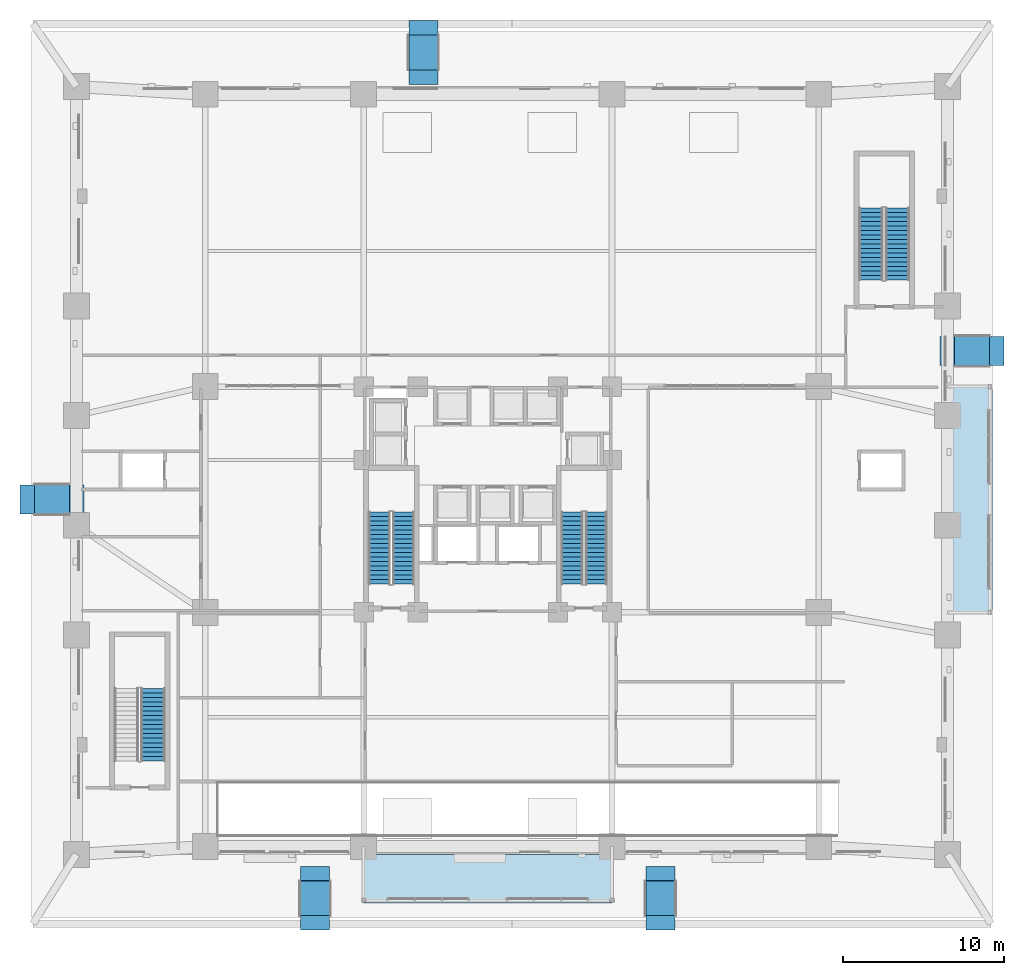
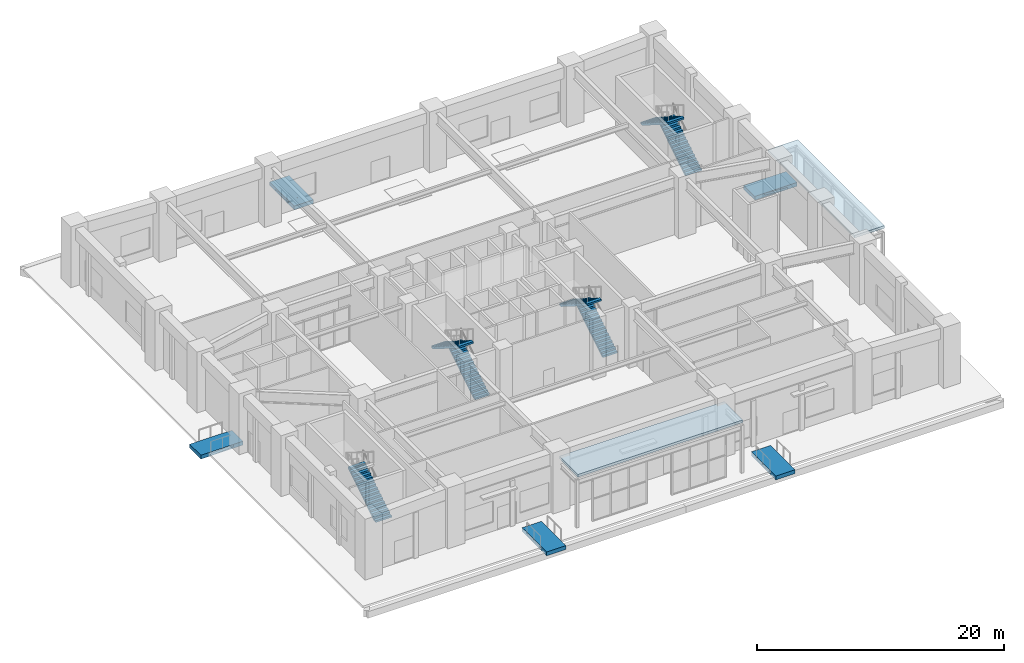
# One storey, part 17 of 24: 7 stair flights, 5 ramps, 5 ramp flights, 2 roofs, 4 elements without a shape of their own.
"""IFC4 building model written with IfcOpenShell, lengths in metres."""

import ifcopenshell
import ifcopenshell.guid

model = None  # the IFC model being written
_history = None  # IfcOwnerHistory: only IFC2X3 demands one
_inside = {}  # id of a spatial element -> (the spatial element, [elements in it])
_under = {}  # id of a project, library or spatial element -> (it, [spatial elements below it])
_declared = {}  # id of a project -> (the project, [libraries it declares])
_typed = {}  # id of a type object -> (the type object, [elements of that type])
_made_of = {}  # id of a material, layer set ... -> (it, [elements and type objects made of it])


def new_model(schema):
    """Start an empty IFC model of exactly this schema.

    Asked for "IFC4X3", IfcOpenShell would pick the latest addendum, in which some entities
    have other attributes; the version numbers below select the first issue.
    IFC2X3 requires an IfcOwnerHistory on every rooted entity: one is made here for all.
    """
    global model, _history
    if schema == "IFC4X3":
        model = ifcopenshell.file(schema_version=(4, 3, 0, 0))
    else:
        model = ifcopenshell.file(schema=schema)
    _inside.clear()
    _under.clear()
    _declared.clear()
    _typed.clear()
    _made_of.clear()
    _history = None
    if model.schema == "IFC2X3":
        org = make("IfcOrganization", Name="unknown")
        user = make(
            "IfcPersonAndOrganization",
            ThePerson=make("IfcPerson", FamilyName="unknown"),
            TheOrganization=org,
        )
        app = make(
            "IfcApplication",
            ApplicationDeveloper=org,
            Version="unknown",
            ApplicationFullName="unknown",
            ApplicationIdentifier="unknown",
        )
        _history = make(
            "IfcOwnerHistory",
            OwningUser=user,
            OwningApplication=app,
            ChangeAction="ADDED",
            CreationDate=0,
        )
    return model


def make(cls, **values):
    """One entity of the class cls with the attributes given. An attribute that is None is left unset."""
    return model.create_entity(
        cls, **{name: value for name, value in values.items() if value is not None}
    )


def rooted(cls, **values):
    """An entity with a GlobalId (a new one), such as an element, a storey or a relation."""
    return make(cls, GlobalId=ifcopenshell.guid.new(), OwnerHistory=_history, **values)


def si_unit(unit_type, name, prefix=None):
    """IfcSIUnit, for example si_unit("LENGTHUNIT", "METRE", prefix="MILLI")."""
    return make("IfcSIUnit", UnitType=unit_type, Prefix=prefix, Name=name)


def derived_unit(unit_type, elements):
    """IfcDerivedUnit: a product of units, each with its exponent."""
    return make(
        "IfcDerivedUnit",
        Elements=[
            make("IfcDerivedUnitElement", Unit=unit, Exponent=power)
            for unit, power in elements
        ],
        UnitType=unit_type,
    )


def assignment(units):
    """IfcUnitAssignment: the units of a project."""
    return None if units is None else make("IfcUnitAssignment", Units=units)


def point(xyz):
    """IfcCartesianPoint."""
    return None if xyz is None else make("IfcCartesianPoint", Coordinates=xyz)


def direction(xyz):
    """IfcDirection."""
    return None if xyz is None else make("IfcDirection", DirectionRatios=xyz)


def frame(location, z_axis=None, x_axis=None):
    """IfcAxis2Placement3D, a coordinate frame: its origin and axes. An axis left out is left unset."""
    return make(
        "IfcAxis2Placement3D",
        Location=point(location),
        Axis=direction(z_axis),
        RefDirection=direction(x_axis),
    )


def origin():
    """The frame at (0, 0, 0) with its axes left unset."""
    return frame((0.0, 0.0, 0.0))


def place(relative_to, where):
    """IfcLocalPlacement: puts the frame where relative to a parent placement (None: the world)."""
    return make(
        "IfcLocalPlacement", PlacementRelTo=relative_to, RelativePlacement=where
    )


def context(
    kind, dimensions, precision=None, world=None, true_north=None, identifier=None
):
    """IfcGeometricRepresentationContext, for example the 3D "Model" context."""
    return make(
        "IfcGeometricRepresentationContext",
        ContextIdentifier=identifier,
        ContextType=kind,
        CoordinateSpaceDimension=dimensions,
        Precision=precision,
        WorldCoordinateSystem=world,
        TrueNorth=true_north,
    )


def subcontext(parent, identifier, kind, view, scale=None):
    """IfcGeometricRepresentationSubContext, for example "Body" below "Model"."""
    return make(
        "IfcGeometricRepresentationSubContext",
        ContextIdentifier=identifier,
        ContextType=kind,
        ParentContext=parent,
        TargetScale=scale,
        TargetView=view,
    )


def project(units=None, contexts=None):
    """IfcProject with its units and contexts."""
    return rooted(
        "IfcProject",
        Name="project",
        RepresentationContexts=contexts,
        UnitsInContext=assignment(units),
    )


def spatial(cls, under=None, at=None, **own):
    """A site, building, storey or space (cls), placed at a placement, below another one or the project."""
    s = rooted(cls, ObjectPlacement=at, **own)
    if under is not None:
        _under.setdefault(under.id(), (under, []))[1].append(s)
    return s


def polyline(points):
    """IfcPolyline through the points."""
    return make("IfcPolyline", Points=[point(p) for p in points])


def outline(outer, holes=None, kind="AREA"):
    """IfcArbitraryClosedProfileDef: a profile drawn as a closed curve; with holes, ...WithVoids."""
    if holes is None:
        return make("IfcArbitraryClosedProfileDef", ProfileType=kind, OuterCurve=outer)
    return make(
        "IfcArbitraryProfileDefWithVoids",
        ProfileType=kind,
        OuterCurve=outer,
        InnerCurves=holes,
    )


def extrude(swept, where, along, depth):
    """IfcExtrudedAreaSolid: the profile swept, set in the frame where, extruded along a direction by depth."""
    return make(
        "IfcExtrudedAreaSolid",
        SweptArea=swept,
        Position=where,
        ExtrudedDirection=direction(along),
        Depth=depth,
    )


def shape(context_of_items, identifier, shape_type, items):
    """IfcShapeRepresentation: the items that make up one representation, for example the "Body"."""
    return make(
        "IfcShapeRepresentation",
        ContextOfItems=context_of_items,
        RepresentationIdentifier=identifier,
        RepresentationType=shape_type,
        Items=items,
    )


def material(Name=None, Category=None):
    """IfcMaterial."""
    return make("IfcMaterial", Name=Name, Category=Category)


def layer(
    of_material, thickness, ventilated=None, Name=None, Category=None, Priority=None
):
    """IfcMaterialLayer: one layer of a wall or slab, of a material (None: an air gap)."""
    return make(
        "IfcMaterialLayer",
        Material=of_material,
        LayerThickness=thickness,
        IsVentilated=ventilated,
        Name=Name,
        Category=Category,
        Priority=Priority,
    )


def layer_set(layers, Name=None):
    """IfcMaterialLayerSet."""
    return make("IfcMaterialLayerSet", MaterialLayers=layers, LayerSetName=Name)


def made_of(thing, what):
    """Note that an element or type object is made of a material, layer set ...; save() writes the relation."""
    if what is not None:
        _made_of.setdefault(what.id(), (what, []))[1].append(thing)
    return thing


def type_object(cls, material=None, **own):
    """A type object (cls), such as IfcWallType, which elements share."""
    return made_of(rooted(cls, **own), material)


def element(
    cls,
    number,
    at=None,
    inside=None,
    cuts=None,
    type_object=None,
    material=None,
    context=None,
    identifier="Body",
    shape_type=None,
    held_by="IfcProductDefinitionShape",
    body=None,
    shapes=None,
    **own,
):
    """One element of the class cls, such as IfcWall. Its Tag is "e" and its number.

    at: its placement. inside: the storey or other place that contains it. cuts: it is an
    opening in that element (IfcRelVoidsElement). A single representation is given by context,
    identifier, shape_type and body (its items); several are given by shapes. held_by: the class
    of the entity that holds the representations. save() writes the other relations.
    """
    e = rooted(cls, Tag="e%d" % number, ObjectPlacement=at, **own)
    if body is not None:
        shapes = [shape(context, identifier, shape_type, body)]
    if shapes is not None:
        e.Representation = make(held_by, Representations=shapes)
    if inside is not None:
        _inside.setdefault(inside.id(), (inside, []))[1].append(e)
    if cuts is not None:
        rooted(
            "IfcRelVoidsElement", RelatingBuildingElement=cuts, RelatedOpeningElement=e
        )
    if type_object is not None:
        _typed.setdefault(type_object.id(), (type_object, []))[1].append(e)
    return made_of(e, material)


def aggregate(whole, parts):
    """IfcRelAggregates: a whole, such as a stair, and the parts it consists of."""
    return rooted("IfcRelAggregates", RelatingObject=whole, RelatedObjects=parts)


def save(model, path):
    """Write the relations noted so far, then the file.

    IfcRelAggregates (storeys below a building ...), IfcRelContainedInSpatialStructure (elements
    in a storey), IfcRelDefinesByType, IfcRelAssociatesMaterial and IfcRelDeclares: one each for
    every whole, place, type object, material and project.
    """
    for whole, parts in _under.values():
        aggregate(whole, parts)
    for where, things in _inside.values():
        rooted(
            "IfcRelContainedInSpatialStructure",
            RelatedElements=things,
            RelatingStructure=where,
        )
    for kind, things in _typed.values():
        rooted("IfcRelDefinesByType", RelatedObjects=things, RelatingType=kind)
    for what, things in _made_of.values():
        rooted("IfcRelAssociatesMaterial", RelatedObjects=things, RelatingMaterial=what)
    for by, libraries in _declared.values():
        rooted("IfcRelDeclares", RelatingContext=by, RelatedDefinitions=libraries)
    model.write(path)


model = new_model("IFC4")

# Units and contexts
model_context = context("Model", 3, precision=1e-05, world=origin(), true_north=direction((0.0, 1.0)))
body_context = subcontext(model_context, "Body", "Model", "MODEL_VIEW")
ifc_project = project(units=[si_unit("LENGTHUNIT", "METRE"), si_unit("AREAUNIT", "SQUARE_METRE"), si_unit("VOLUMEUNIT", "CUBIC_METRE"), si_unit("PLANEANGLEUNIT", "RADIAN"), si_unit("MASSUNIT", "GRAM", prefix="KILO"), derived_unit("THERMALTRANSMITTANCEUNIT", [(si_unit("MASSUNIT", "GRAM", prefix="KILO"), 1), (si_unit("TIMEUNIT", "SECOND"), -3), (si_unit("THERMODYNAMICTEMPERATUREUNIT", "KELVIN"), -1)])], contexts=[model_context])

# Site, building, storey
site_placement = place(None, origin())
site = spatial("IfcSite", under=ifc_project, at=site_placement, CompositionType="ELEMENT")
building_placement = place(site_placement, origin())
building = spatial("IfcBuilding", under=site, at=building_placement, Name="Korrvale Station Residences", CompositionType="ELEMENT")
storey_placement = place(building_placement, origin())
storey = spatial("IfcBuildingStorey", under=building, at=storey_placement, Name="L00", CompositionType="ELEMENT", Elevation=0.0)

# Stair, stair flights
ifc_material_1 = material(Name="Concrete C50/60", Category="concrete")
stair_type_1 = type_object("IfcStairType", Name="STR-DL-1350-34R-1765", PredefinedType="HALF_TURN_STAIR", material=ifc_material_1)
stair_1_placement = place(storey_placement, origin())
stair_1 = element("IfcStair", 1, at=stair_1_placement, inside=storey, type_object=stair_type_1, Name="L00 Exit Stair 1", PredefinedType="HALF_TURN_STAIR")
stair_flight_type_1 = type_object("IfcStairFlightType", Name="FLT-DL-1350-34R-1765", PredefinedType="STRAIGHT", material=ifc_material_1)
stair_flight_1_placement = place(storey_placement, frame((20.27490234375, 16.75, 0.0), z_axis=(0.0, 0.0, 1.0), x_axis=(0.0, 1.0, 0.0)))
stair_flight_1 = element("IfcStairFlight", 2, at=stair_flight_1_placement, type_object=stair_flight_type_1, Name="ST-1 flight 1", NumberOfRisers=17, NumberOfTreads=16, PredefinedType="STRAIGHT", RiserHeight=0.176470588, TreadLength=0.28, context=body_context, shape_type="SweptSolid", body=[
    extrude(outline(polyline([(0.0, 0.0), (0.0, 0.176513671875), (0.280029296875, 0.176513671875), (0.280029296875, 0.35302734375), (0.56005859375, 0.35302734375), (0.56005859375, 0.529296875), (0.840087890625, 0.529296875), (0.840087890625, 0.705810546875), (1.1201171875, 0.705810546875), (1.1201171875, 0.88232421875), (1.39990234375, 0.88232421875), (1.39990234375, 1.058837890625), (1.679931640625, 1.058837890625), (1.679931640625, 1.2353515625), (1.9599609375, 1.2353515625), (1.9599609375, 1.411865234375), (2.239990234375, 1.411865234375), (2.239990234375, 1.588134765625), (2.52001953125, 1.588134765625), (2.52001953125, 1.7646484375), (2.800048828125, 1.7646484375), (2.800048828125, 1.941162109375), (3.080078125, 1.941162109375), (3.080078125, 2.11767578125), (3.360107421875, 2.11767578125), (3.360107421875, 2.294189453125), (3.639892578125, 2.294189453125), (3.639892578125, 2.470703125), (3.919921875, 2.470703125), (3.919921875, 2.64697265625), (4.199951171875, 2.64697265625), (4.199951171875, 2.823486328125), (4.47998046875, 2.823486328125), (4.47998046875, 3.0), (4.47998046875, 2.646240234375), (0.28125, 0.0), (0.0, 0.0)])), frame((0.0, 0.675048828125, 0.0), z_axis=(0.0, -1.0, 0.0), x_axis=(1.0, 0.0, 0.0)), (0.0, 0.0, 1.0), 1.35009765625),
])
stair_flight_2_placement = place(storey_placement, frame((18.77490234375, 21.22998046875, 3.0), z_axis=(0.0, 0.0, 1.0), x_axis=(0.0, -1.0, 0.0)))
stair_flight_2 = element("IfcStairFlight", 3, at=stair_flight_2_placement, type_object=stair_flight_type_1, Name="ST-1 flight 2", NumberOfRisers=17, NumberOfTreads=16, PredefinedType="STRAIGHT", RiserHeight=0.176470588, TreadLength=0.28, context=body_context, shape_type="SweptSolid", body=[
    extrude(outline(polyline([(0.0, 0.0), (0.0, 0.176513671875), (0.280029296875, 0.176513671875), (0.280029296875, 0.35302734375), (0.56005859375, 0.35302734375), (0.56005859375, 0.529296875), (0.840087890625, 0.529296875), (0.840087890625, 0.705810546875), (1.1201171875, 0.705810546875), (1.1201171875, 0.88232421875), (1.39990234375, 0.88232421875), (1.39990234375, 1.058837890625), (1.679931640625, 1.058837890625), (1.679931640625, 1.2353515625), (1.9599609375, 1.2353515625), (1.9599609375, 1.411865234375), (2.239990234375, 1.411865234375), (2.239990234375, 1.588134765625), (2.52001953125, 1.588134765625), (2.52001953125, 1.7646484375), (2.800048828125, 1.7646484375), (2.800048828125, 1.941162109375), (3.080078125, 1.941162109375), (3.080078125, 2.11767578125), (3.360107421875, 2.11767578125), (3.360107421875, 2.294189453125), (3.639892578125, 2.294189453125), (3.639892578125, 2.470703125), (3.919921875, 2.470703125), (3.919921875, 2.64697265625), (4.199951171875, 2.64697265625), (4.199951171875, 2.823486328125), (4.47998046875, 2.823486328125), (4.47998046875, 3.0), (4.47998046875, 2.646240234375), (0.28125, 0.0), (0.0, 0.0)])), frame((0.0, 0.675048828125, 0.0), z_axis=(0.0, -1.0, 0.0), x_axis=(1.0, 0.0, 0.0)), (0.0, 0.0, 1.0), 1.35009765625),
])
aggregate(stair_1, [stair_flight_1, stair_flight_2])

stair_2_placement = place(storey_placement, origin())
stair_2 = element("IfcStair", 4, at=stair_2_placement, inside=storey, type_object=stair_type_1, Name="L00 Exit Stair 2", PredefinedType="HALF_TURN_STAIR")
stair_flight_3_placement = place(storey_placement, frame((32.22509765625, 16.75, 0.0), z_axis=(0.0, 0.0, 1.0), x_axis=(0.0, 1.0, 0.0)))
stair_flight_3 = element("IfcStairFlight", 5, at=stair_flight_3_placement, type_object=stair_flight_type_1, Name="ST-2 flight 1", NumberOfRisers=17, NumberOfTreads=16, PredefinedType="STRAIGHT", RiserHeight=0.176470588, TreadLength=0.28, context=body_context, shape_type="SweptSolid", body=[
    extrude(outline(polyline([(0.0, 0.0), (0.0, 0.176513671875), (0.280029296875, 0.176513671875), (0.280029296875, 0.35302734375), (0.56005859375, 0.35302734375), (0.56005859375, 0.529296875), (0.840087890625, 0.529296875), (0.840087890625, 0.705810546875), (1.1201171875, 0.705810546875), (1.1201171875, 0.88232421875), (1.39990234375, 0.88232421875), (1.39990234375, 1.058837890625), (1.679931640625, 1.058837890625), (1.679931640625, 1.2353515625), (1.9599609375, 1.2353515625), (1.9599609375, 1.411865234375), (2.239990234375, 1.411865234375), (2.239990234375, 1.588134765625), (2.52001953125, 1.588134765625), (2.52001953125, 1.7646484375), (2.800048828125, 1.7646484375), (2.800048828125, 1.941162109375), (3.080078125, 1.941162109375), (3.080078125, 2.11767578125), (3.360107421875, 2.11767578125), (3.360107421875, 2.294189453125), (3.639892578125, 2.294189453125), (3.639892578125, 2.470703125), (3.919921875, 2.470703125), (3.919921875, 2.64697265625), (4.199951171875, 2.64697265625), (4.199951171875, 2.823486328125), (4.47998046875, 2.823486328125), (4.47998046875, 3.0), (4.47998046875, 2.646240234375), (0.28125, 0.0), (0.0, 0.0)])), frame((0.0, 0.675048828125, 0.0), z_axis=(0.0, -1.0, 0.0), x_axis=(1.0, 0.0, 0.0)), (0.0, 0.0, 1.0), 1.35009765625),
])
stair_flight_4_placement = place(storey_placement, frame((30.72509765625, 21.22998046875, 3.0), z_axis=(0.0, 0.0, 1.0), x_axis=(0.0, -1.0, 0.0)))
stair_flight_4 = element("IfcStairFlight", 6, at=stair_flight_4_placement, type_object=stair_flight_type_1, Name="ST-2 flight 2", NumberOfRisers=17, NumberOfTreads=16, PredefinedType="STRAIGHT", RiserHeight=0.176470588, TreadLength=0.28, context=body_context, shape_type="SweptSolid", body=[
    extrude(outline(polyline([(0.0, 0.0), (0.0, 0.176513671875), (0.280029296875, 0.176513671875), (0.280029296875, 0.35302734375), (0.56005859375, 0.35302734375), (0.56005859375, 0.529296875), (0.840087890625, 0.529296875), (0.840087890625, 0.705810546875), (1.1201171875, 0.705810546875), (1.1201171875, 0.88232421875), (1.39990234375, 0.88232421875), (1.39990234375, 1.058837890625), (1.679931640625, 1.058837890625), (1.679931640625, 1.2353515625), (1.9599609375, 1.2353515625), (1.9599609375, 1.411865234375), (2.239990234375, 1.411865234375), (2.239990234375, 1.588134765625), (2.52001953125, 1.588134765625), (2.52001953125, 1.7646484375), (2.800048828125, 1.7646484375), (2.800048828125, 1.941162109375), (3.080078125, 1.941162109375), (3.080078125, 2.11767578125), (3.360107421875, 2.11767578125), (3.360107421875, 2.294189453125), (3.639892578125, 2.294189453125), (3.639892578125, 2.470703125), (3.919921875, 2.470703125), (3.919921875, 2.64697265625), (4.199951171875, 2.64697265625), (4.199951171875, 2.823486328125), (4.47998046875, 2.823486328125), (4.47998046875, 3.0), (4.47998046875, 2.646240234375), (0.28125, 0.0), (0.0, 0.0)])), frame((0.0, 0.675048828125, 0.0), z_axis=(0.0, -1.0, 0.0), x_axis=(1.0, 0.0, 0.0)), (0.0, 0.0, 1.0), 1.35009765625),
])
aggregate(stair_2, [stair_flight_3, stair_flight_4])

# Stair, stair flight
stair_type_2 = type_object("IfcStairType", Name="STR-DL-1500-34R-1765", PredefinedType="HALF_TURN_STAIR", material=ifc_material_1)
stair_3_placement = place(storey_placement, origin())
stair_3 = element("IfcStair", 7, at=stair_3_placement, inside=storey, type_object=stair_type_2, Name="L00 Station Exit Stair 3", PredefinedType="HALF_TURN_STAIR")
stair_flight_type_2 = type_object("IfcStairFlightType", Name="FLT-DL-1500-34R-1765", PredefinedType="STRAIGHT", material=ifc_material_1)
stair_flight_5_placement = place(storey_placement, frame((4.75, 5.800048828125, 0.0), z_axis=(0.0, 0.0, 1.0), x_axis=(0.0, 1.0, 0.0)))
stair_flight_5 = element("IfcStairFlight", 8, at=stair_flight_5_placement, type_object=stair_flight_type_2, Name="ST-3 flight 1", NumberOfRisers=17, NumberOfTreads=16, PredefinedType="STRAIGHT", RiserHeight=0.176470588, TreadLength=0.28, context=body_context, shape_type="SweptSolid", body=[
    extrude(outline(polyline([(0.0, 0.0), (0.0, 0.176513671875), (0.280029296875, 0.176513671875), (0.280029296875, 0.35302734375), (0.56005859375, 0.35302734375), (0.56005859375, 0.529296875), (0.840087890625, 0.529296875), (0.840087890625, 0.705810546875), (1.1201171875, 0.705810546875), (1.1201171875, 0.88232421875), (1.39990234375, 0.88232421875), (1.39990234375, 1.058837890625), (1.679931640625, 1.058837890625), (1.679931640625, 1.2353515625), (1.9599609375, 1.2353515625), (1.9599609375, 1.411865234375), (2.239990234375, 1.411865234375), (2.239990234375, 1.588134765625), (2.52001953125, 1.588134765625), (2.52001953125, 1.7646484375), (2.800048828125, 1.7646484375), (2.800048828125, 1.941162109375), (3.080078125, 1.941162109375), (3.080078125, 2.11767578125), (3.360107421875, 2.11767578125), (3.360107421875, 2.294189453125), (3.639892578125, 2.294189453125), (3.639892578125, 2.470703125), (3.919921875, 2.470703125), (3.919921875, 2.64697265625), (4.199951171875, 2.64697265625), (4.199951171875, 2.823486328125), (4.47998046875, 2.823486328125), (4.47998046875, 3.0), (4.47998046875, 2.646240234375), (0.28125, 0.0), (0.0, 0.0)])), frame((0.0, 0.75, 0.0), z_axis=(0.0, -1.0, 0.0), x_axis=(1.0, 0.0, 0.0)), (0.0, 0.0, 1.0), 1.5),
])
aggregate(stair_3, [stair_flight_5])

# Stair, stair flights
stair_4_placement = place(storey_placement, origin())
stair_4 = element("IfcStair", 9, at=stair_4_placement, inside=storey, type_object=stair_type_2, Name="L00 Station Exit Stair 4", PredefinedType="HALF_TURN_STAIR")
stair_flight_6_placement = place(storey_placement, frame((50.89990234375, 35.60009765625, 0.0), z_axis=(0.0, 0.0, 1.0), x_axis=(0.0, 1.0, 0.0)))
stair_flight_6 = element("IfcStairFlight", 10, at=stair_flight_6_placement, type_object=stair_flight_type_2, Name="ST-4 flight 1", NumberOfRisers=17, NumberOfTreads=16, PredefinedType="STRAIGHT", RiserHeight=0.176470588, TreadLength=0.28, context=body_context, shape_type="SweptSolid", body=[
    extrude(outline(polyline([(0.0, 0.0), (0.0, 0.176513671875), (0.280029296875, 0.176513671875), (0.280029296875, 0.35302734375), (0.56005859375, 0.35302734375), (0.56005859375, 0.529296875), (0.840087890625, 0.529296875), (0.840087890625, 0.705810546875), (1.1201171875, 0.705810546875), (1.1201171875, 0.88232421875), (1.39990234375, 0.88232421875), (1.39990234375, 1.058837890625), (1.679931640625, 1.058837890625), (1.679931640625, 1.2353515625), (1.9599609375, 1.2353515625), (1.9599609375, 1.411865234375), (2.239990234375, 1.411865234375), (2.239990234375, 1.588134765625), (2.52001953125, 1.588134765625), (2.52001953125, 1.7646484375), (2.800048828125, 1.7646484375), (2.800048828125, 1.941162109375), (3.080078125, 1.941162109375), (3.080078125, 2.11767578125), (3.360107421875, 2.11767578125), (3.360107421875, 2.294189453125), (3.639892578125, 2.294189453125), (3.639892578125, 2.470703125), (3.919921875, 2.470703125), (3.919921875, 2.64697265625), (4.199951171875, 2.64697265625), (4.199951171875, 2.823486328125), (4.47998046875, 2.823486328125), (4.47998046875, 3.0), (4.47998046875, 2.646240234375), (0.28125, 0.0), (0.0, 0.0)])), frame((0.0, 0.75, 0.0), z_axis=(0.0, -1.0, 0.0), x_axis=(1.0, 0.0, 0.0)), (0.0, 0.0, 1.0), 1.5),
])
stair_flight_7_placement = place(storey_placement, frame((49.25, 40.080078125, 3.0), z_axis=(0.0, 0.0, 1.0), x_axis=(0.0, -1.0, 0.0)))
stair_flight_7 = element("IfcStairFlight", 11, at=stair_flight_7_placement, type_object=stair_flight_type_2, Name="ST-4 flight 2", NumberOfRisers=17, NumberOfTreads=16, PredefinedType="STRAIGHT", RiserHeight=0.176470588, TreadLength=0.28, context=body_context, shape_type="SweptSolid", body=[
    extrude(outline(polyline([(0.0, 0.0), (0.0, 0.176513671875), (0.280029296875, 0.176513671875), (0.280029296875, 0.35302734375), (0.56005859375, 0.35302734375), (0.56005859375, 0.529296875), (0.840087890625, 0.529296875), (0.840087890625, 0.705810546875), (1.1201171875, 0.705810546875), (1.1201171875, 0.88232421875), (1.39990234375, 0.88232421875), (1.39990234375, 1.058837890625), (1.679931640625, 1.058837890625), (1.679931640625, 1.2353515625), (1.9599609375, 1.2353515625), (1.9599609375, 1.411865234375), (2.239990234375, 1.411865234375), (2.239990234375, 1.588134765625), (2.52001953125, 1.588134765625), (2.52001953125, 1.7646484375), (2.800048828125, 1.7646484375), (2.800048828125, 1.941162109375), (3.080078125, 1.941162109375), (3.080078125, 2.11767578125), (3.360107421875, 2.11767578125), (3.360107421875, 2.294189453125), (3.639892578125, 2.294189453125), (3.639892578125, 2.470703125), (3.919921875, 2.470703125), (3.919921875, 2.64697265625), (4.199951171875, 2.64697265625), (4.199951171875, 2.823486328125), (4.47998046875, 2.823486328125), (4.47998046875, 3.0), (4.47998046875, 2.646240234375), (0.28125, 0.0), (0.0, 0.0)])), frame((0.0, 0.75, 0.0), z_axis=(0.0, -1.0, 0.0), x_axis=(1.0, 0.0, 0.0)), (0.0, 0.0, 1.0), 1.5),
])
aggregate(stair_4, [stair_flight_6, stair_flight_7])

# Ramp
ifc_material_2 = material(Name="Honed granite non-slip threshold ramp", Category="masonry")
ramp_type = type_object("IfcRampType", Name="RMP-ACC-1800", PredefinedType="STRAIGHT_RUN_RAMP", material=ifc_material_2)
ramp_1_placement = place(storey_placement, frame((0.0, 0.0, -0.3798828125)))
ramp_1 = element("IfcRamp", 12, at=ramp_1_placement, inside=storey, type_object=ramp_type, Name="Accessible Threshold Ramp R-ACC-1", PredefinedType="STRAIGHT_RUN_RAMP", context=body_context, shape_type="SweptSolid", body=[
    extrude(outline(polyline([(13.89990234375, -4.699951171875), (15.699951171875, -4.699951171875), (15.699951171875, -0.739990234375), (13.89990234375, -0.739990234375), (13.89990234375, -4.699951171875)])), origin(), (0.0, 0.0, 1.0), 0.3798828125),
])

ramp_2_placement = place(storey_placement, frame((0.0, 0.0, -0.3798828125)))
ramp_2 = element("IfcRamp", 13, at=ramp_2_placement, inside=storey, type_object=ramp_type, Name="Accessible Threshold Ramp R-ACC-2", PredefinedType="STRAIGHT_RUN_RAMP", context=body_context, shape_type="SweptSolid", body=[
    extrude(outline(polyline([(35.300048828125, -4.699951171875), (37.10009765625, -4.699951171875), (37.10009765625, -0.739990234375), (35.300048828125, -0.739990234375), (35.300048828125, -4.699951171875)])), origin(), (0.0, 0.0, 1.0), 0.3798828125),
])

ramp_3_placement = place(storey_placement, frame((0.0, 0.0, -0.3798828125)))
ramp_3 = element("IfcRamp", 14, at=ramp_3_placement, inside=storey, type_object=ramp_type, Name="Accessible Threshold Ramp R-ACC-3", PredefinedType="STRAIGHT_RUN_RAMP", context=body_context, shape_type="SweptSolid", body=[
    extrude(outline(polyline([(20.60009765625, 47.739990234375), (22.39990234375, 47.739990234375), (22.39990234375, 51.699951171875), (20.60009765625, 51.699951171875), (20.60009765625, 47.739990234375)])), origin(), (0.0, 0.0, 1.0), 0.3798828125),
])

ramp_4_placement = place(storey_placement, frame((0.0, 0.0, -0.3798828125)))
ramp_4 = element("IfcRamp", 15, at=ramp_4_placement, inside=storey, type_object=ramp_type, Name="Accessible Threshold Ramp R-ACC-4", PredefinedType="STRAIGHT_RUN_RAMP", context=body_context, shape_type="SweptSolid", body=[
    extrude(outline(polyline([(-3.5, 21.10009765625), (0.4599609375, 21.10009765625), (0.4599609375, 22.89990234375), (-3.5, 22.89990234375), (-3.5, 21.10009765625)])), origin(), (0.0, 0.0, 1.0), 0.3798828125),
])

ramp_5_placement = place(storey_placement, frame((0.0, 0.0, -0.3798828125)))
ramp_5 = element("IfcRamp", 16, at=ramp_5_placement, inside=storey, type_object=ramp_type, Name="Accessible Threshold Ramp R-ACC-5", PredefinedType="STRAIGHT_RUN_RAMP", context=body_context, shape_type="SweptSolid", body=[
    extrude(outline(polyline([(53.5400390625, 30.300048828125), (57.5, 30.300048828125), (57.5, 32.10009765625), (53.5400390625, 32.10009765625), (53.5400390625, 30.300048828125)])), origin(), (0.0, 0.0, 1.0), 0.3798828125),
])

# Ramp flight
ifc_layer_1 = layer(ifc_material_2, 0.199951171875, Name="Honed granite non-slip threshold ramp")
ifc_layer_set_1 = layer_set([ifc_layer_1], Name="Honed granite non-slip threshold ramp")
ramp_flight_type = type_object("IfcRampFlightType", Name="RMPF-ACC-1800", PredefinedType="STRAIGHT", material=ifc_layer_set_1)
ramp_flight_1_placement = place(storey_placement, frame((15.699951171875, -3.800048828125, -0.179931640625), z_axis=(0.0, -0.083008195433, 0.996548864578), x_axis=(0.0, 0.996548864578, 0.083008195433)))
ramp_flight_1 = element("IfcRampFlight", 17, at=ramp_flight_1_placement, type_object=ramp_flight_type, Name="Accessible Threshold Ramp Flight R-ACC-1", PredefinedType="STRAIGHT", context=body_context, shape_type="SweptSolid", body=[
    extrude(outline(polyline([(0.0, 0.0), (2.1676370590373444, 0.0), (2.1676370590373444, 1.8000488281250004), (0.0, 1.8000488281250004), (0.0, 0.0)])), origin(), (0.0, 0.0, -1.0), 0.199951171875),
])

aggregate(ramp_1, [ramp_flight_1])

ramp_flight_2_placement = place(storey_placement, frame((37.10009765625, -3.800048828125, -0.179931640625), z_axis=(0.0, -0.083008195433, 0.996548864578), x_axis=(0.0, 0.996548864578, 0.083008195433)))
ramp_flight_2 = element("IfcRampFlight", 18, at=ramp_flight_2_placement, type_object=ramp_flight_type, Name="Accessible Threshold Ramp Flight R-ACC-2", PredefinedType="STRAIGHT", context=body_context, shape_type="SweptSolid", body=[
    extrude(outline(polyline([(0.0, 0.0), (2.1676370590373444, 0.0), (2.1676370590373444, 1.8000488281250004), (0.0, 1.8000488281250004), (0.0, 0.0)])), origin(), (0.0, 0.0, -1.0), 0.199951171875),
])

aggregate(ramp_2, [ramp_flight_2])

ramp_flight_3_placement = place(storey_placement, frame((20.60009765625, 50.800048828125, -0.179931640625), z_axis=(0.0, 0.083008195433, 0.996548864578), x_axis=(0.0, -0.996548864578, 0.083008195433)))
ramp_flight_3 = element("IfcRampFlight", 19, at=ramp_flight_3_placement, type_object=ramp_flight_type, Name="Accessible Threshold Ramp Flight R-ACC-3", PredefinedType="STRAIGHT", context=body_context, shape_type="SweptSolid", body=[
    extrude(outline(polyline([(0.0, 0.0), (2.1676370590373444, 0.0), (2.1676370590373444, 1.7998046875000004), (0.0, 1.7998046875000004), (0.0, 0.0)])), origin(), (0.0, 0.0, -1.0), 0.199951171875),
])

aggregate(ramp_3, [ramp_flight_3])

ramp_flight_4_placement = place(storey_placement, frame((-2.60009765625, 21.10009765625, -0.179931640625), z_axis=(-0.083008195433, 0.0, 0.996548864578), x_axis=(0.996548864578, 0.0, 0.083008195433)))
ramp_flight_4 = element("IfcRampFlight", 20, at=ramp_flight_4_placement, type_object=ramp_flight_type, Name="Accessible Threshold Ramp Flight R-ACC-4", PredefinedType="STRAIGHT", context=body_context, shape_type="SweptSolid", body=[
    extrude(outline(polyline([(0.0, 0.0), (2.1676370590373444, 0.0), (2.1676370590373444, 1.7998046875000004), (0.0, 1.7998046875000004), (0.0, 0.0)])), origin(), (0.0, 0.0, -1.0), 0.199951171875),
])

aggregate(ramp_4, [ramp_flight_4])

ramp_flight_5_placement = place(storey_placement, frame((56.60009765625, 32.10009765625, -0.179931640625), z_axis=(0.083008195433, 0.0, 0.996548864578), x_axis=(-0.996548864578, 0.0, 0.083008195433)))
ramp_flight_5 = element("IfcRampFlight", 21, at=ramp_flight_5_placement, type_object=ramp_flight_type, Name="Accessible Threshold Ramp Flight R-ACC-5", PredefinedType="STRAIGHT", context=body_context, shape_type="SweptSolid", body=[
    extrude(outline(polyline([(0.0, 0.0), (2.1676370590373444, 0.0), (2.1676370590373444, 1.8000488281250004), (0.0, 1.8000488281250004), (0.0, 0.0)])), origin(), (0.0, 0.0, -1.0), 0.199951171875),
])

aggregate(ramp_5, [ramp_flight_5])

# Roofs
ifc_layer_2 = layer(ifc_material_1, 0.25, Name="Concrete C50/60")
ifc_layer_set_2 = layer_set([ifc_layer_2], Name="Concrete C50/60")
roof_type = type_object("IfcRoofType", Name="ROOF-FLAT-250", PredefinedType="FLAT_ROOF", material=ifc_layer_set_2)
roof_1_placement = place(storey_placement, frame((0.0, 0.0, 5.0)))
element("IfcRoof", 22, at=roof_1_placement, inside=storey, type_object=roof_type, Name="Station South Entrance Canopy Flat Roof", PredefinedType="FLAT_ROOF", context=body_context, shape_type="SweptSolid", body=[
    extrude(outline(polyline([(17.800048828125, -3.0), (33.199951171875, -3.0), (33.199951171875, 0.0), (17.800048828125, 0.0), (17.800048828125, -3.0)])), origin(), (0.0, 0.0, 1.0), 0.25),
])
roof_2_placement = place(storey_placement, frame((0.0, 0.0, 5.0)))
element("IfcRoof", 23, at=roof_2_placement, inside=storey, type_object=roof_type, Name="Station East Entrance Canopy Flat Roof", PredefinedType="FLAT_ROOF", context=body_context, shape_type="SweptSolid", body=[
    extrude(outline(polyline([(54.0, 15.0), (56.800048828125, 15.0), (56.800048828125, 29.0), (54.0, 29.0), (54.0, 15.0)])), origin(), (0.0, 0.0, 1.0), 0.25),
])

save(model, "model.ifc")
